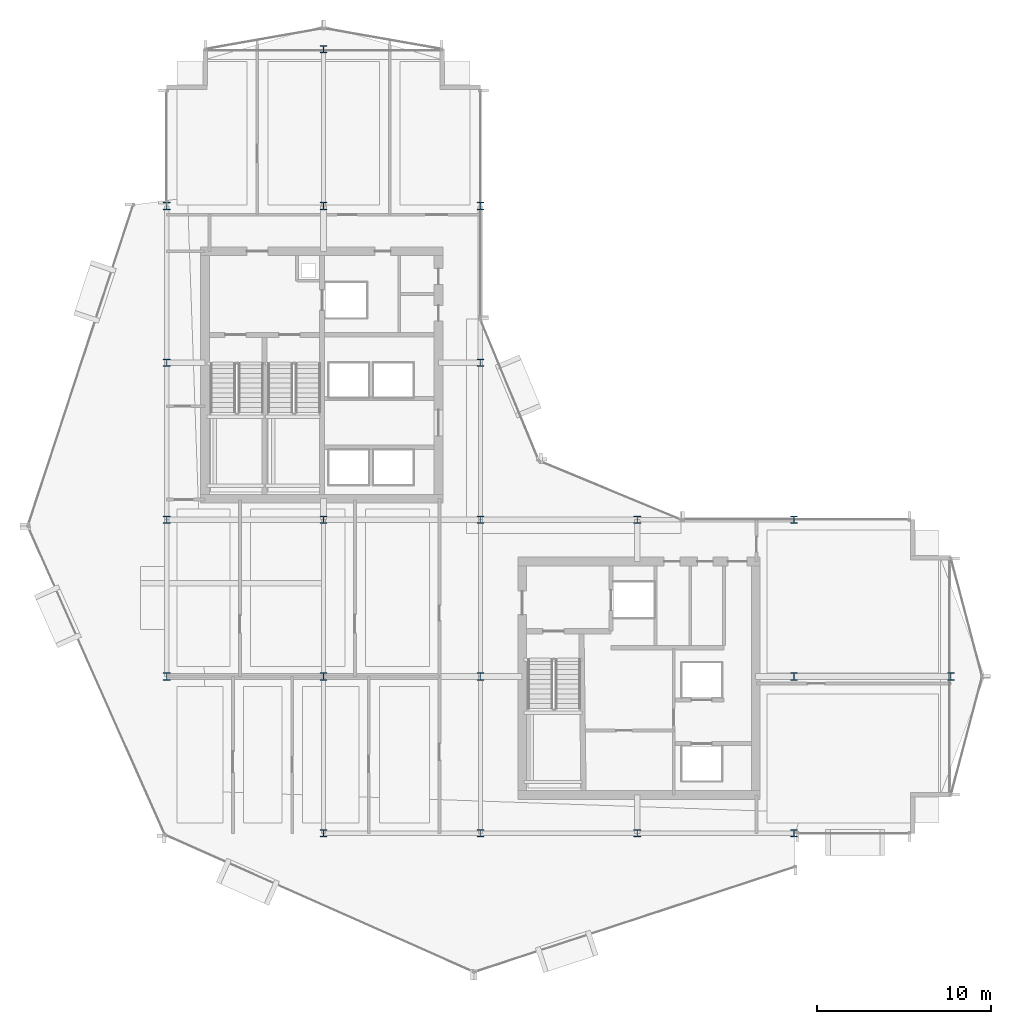
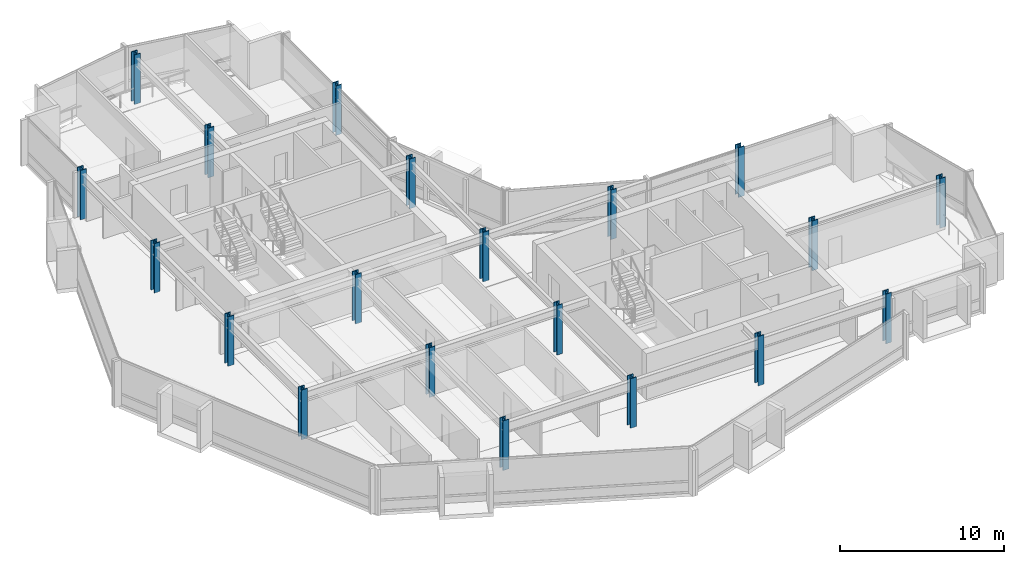
# One storey, part 1 of 28: 20 columns.
"""IFC4 building model written with IfcOpenShell, lengths in metres."""

from ifc_helpers import new_model, si_unit, direction, frame, origin, origin_2d, place, context, subcontext, project, spatial, i_section, extrude, material, material_profile, profile_set, type_object, element, save


model = new_model("IFC4")

# Units and contexts
model_context = context("Model", 3, precision=1e-05, world=origin(), true_north=direction((0.0, 1.0)))
body_context = subcontext(model_context, "Body", "Model", "MODEL_VIEW")
ifc_project = project(units=[si_unit("LENGTHUNIT", "METRE"), si_unit("AREAUNIT", "SQUARE_METRE"), si_unit("VOLUMEUNIT", "CUBIC_METRE"), si_unit("PLANEANGLEUNIT", "RADIAN"), si_unit("MASSUNIT", "GRAM", prefix="KILO")], contexts=[model_context])

# Site, building, storey
site_placement = place(None, origin())
site = spatial("IfcSite", under=ifc_project, at=site_placement, CompositionType="ELEMENT")
building_placement = place(site_placement, origin())
building = spatial("IfcBuilding", under=site, at=building_placement, Name="Solvaryn Broadcast Tower", CompositionType="ELEMENT")
storey_placement = place(building_placement, frame((0.0, 0.0, 154.39990234375)))
storey = spatial("IfcBuildingStorey", under=building, at=storey_placement, Name="L38", CompositionType="ELEMENT", Elevation=154.39990234375)

# Columns
ifc_material_1 = material(Name="Steel ASTM A913 Grade 65", Category="steel")
ifc_material_profile_1 = material_profile(ifc_material_1, i_section(OverallWidth=0.412109375, OverallDepth=0.43505859375, WebThickness=0.035888671875, FlangeThickness=0.057373046875, FilletRadius=0.014892578125, at=origin_2d()))
ifc_profile_set_1 = profile_set([ifc_material_profile_1], Name="Steel ASTM A913 Grade 65")
column_type_1 = type_object("IfcColumnType", Name="COL-C06E-W14X311", PredefinedType="COLUMN", material=ifc_profile_set_1)
for number, where, z_axis, x_axis, name in (
    (1, (9.0, 18.0, 0.0), (0.0, 0.0, 1.0), (1.0, 0.0, 0.0), "L38 Column (9.0, 18.0)"),
    (2, (9.0, 27.0, 0.0), (0.0, 0.0, 1.0), (1.0, 0.0, 0.0), "L38 Column (9.0, 27.0)"),
    (3, (9.0, 36.0, 0.0), (0.0, 0.0, 1.0), (1.0, 0.0, 0.0), "L38 Column (9.0, 36.0)"),
    (4, (9.0, 45.0, 0.0), (0.0, 0.0, 1.0), (1.0, 0.0, 0.0), "L38 Column (9.0, 45.0)"),
    (5, (18.0, 9.0, 0.0), (0.0, 0.0, 1.0), (1.0, 0.0, 0.0), "L38 Column (18.0, 9.0)"),
    (6, (18.0, 54.0, 0.0), (0.0, 0.0, 1.0), (1.0, 0.0, 0.0), "L38 Column (18.0, 54.0)"),
    (7, (27.0, 9.0, 0.0), (0.0, 0.0, 1.0), (1.0, 0.0, 0.0), "L38 Column (27.0, 9.0)"),
    (8, (27.0, 36.0, 0.0), (0.0, 0.0, 1.0), (1.0, 0.0, 0.0), "L38 Column (27.0, 36.0)"),
    (9, (27.0, 45.0, 0.0), (0.0, 0.0, 1.0), (1.0, 0.0, 0.0), "L38 Column (27.0, 45.0)"),
    (10, (36.0, 9.0, 0.0), (0.0, 0.0, 1.0), (1.0, 0.0, 0.0), "L38 Column (36.0, 9.0)"),
    (11, (36.0, 27.0, 0.0), (0.0, 0.0, 1.0), (1.0, 0.0, 0.0), "L38 Column (36.0, 27.0)"),
    (12, (45.0, 9.0, 0.0), (0.0, 0.0, 1.0), (1.0, 0.0, 0.0), "L38 Column (45.0, 9.0)"),
    (13, (45.0, 27.0, 0.0), (0.0, 0.0, 1.0), (1.0, 0.0, 0.0), "L38 Column (45.0, 27.0)"),
    (14, (54.0, 18.0, 0.0), (0.0, 0.0, 1.0), (1.0, 0.0, 0.0), "L38 Column (54.0, 18.0)"),
):
    element("IfcColumn", number, at=place(storey_placement, frame(where, z_axis=z_axis, x_axis=x_axis)), inside=storey, type_object=column_type_1, Name=name, PredefinedType="COLUMN", context=body_context, shape_type="SweptSolid", body=[
        extrude(i_section(OverallWidth=0.412109375, OverallDepth=0.43505859375, WebThickness=0.035888671875, FlangeThickness=0.057373046875, FilletRadius=0.014892578125, at=origin_2d()), origin(), (0.0, 0.0, 1.0), 3.7001953125),
    ])
ifc_material_2 = material(Name="Steel ASTM A913 Grade 65", Category="steel")
ifc_material_profile_2 = material_profile(ifc_material_2, i_section(OverallWidth=0.412109375, OverallDepth=0.43505859375, WebThickness=0.035888671875, FlangeThickness=0.057373046875, FilletRadius=0.014892578125, at=origin_2d()))
ifc_profile_set_2 = profile_set([ifc_material_profile_2], Name="Steel ASTM A913 Grade 65")
column_type_2 = type_object("IfcColumnType", Name="COL-C06I-W14X311", PredefinedType="COLUMN", material=ifc_profile_set_2)
for number, where, z_axis, x_axis, name in (
    (15, (18.0, 18.0, 0.0), (0.0, 0.0, 1.0), (1.0, 0.0, 0.0), "L38 Column (18.0, 18.0)"),
    (16, (18.0, 27.0, 0.0), (0.0, 0.0, 1.0), (1.0, 0.0, 0.0), "L38 Column (18.0, 27.0)"),
    (17, (18.0, 45.0, 0.0), (0.0, 0.0, 1.0), (1.0, 0.0, 0.0), "L38 Column (18.0, 45.0)"),
    (18, (27.0, 18.0, 0.0), (0.0, 0.0, 1.0), (1.0, 0.0, 0.0), "L38 Column (27.0, 18.0)"),
    (19, (27.0, 27.0, 0.0), (0.0, 0.0, 1.0), (1.0, 0.0, 0.0), "L38 Column (27.0, 27.0)"),
    (20, (45.0, 18.0, 0.0), (0.0, 0.0, 1.0), (1.0, 0.0, 0.0), "L38 Column (45.0, 18.0)"),
):
    element("IfcColumn", number, at=place(storey_placement, frame(where, z_axis=z_axis, x_axis=x_axis)), inside=storey, type_object=column_type_2, Name=name, PredefinedType="COLUMN", context=body_context, shape_type="SweptSolid", body=[
        extrude(i_section(OverallWidth=0.412109375, OverallDepth=0.43505859375, WebThickness=0.035888671875, FlangeThickness=0.057373046875, FilletRadius=0.014892578125, at=origin_2d()), origin(), (0.0, 0.0, 1.0), 3.7001953125),
    ])

save(model, "model.ifc")
